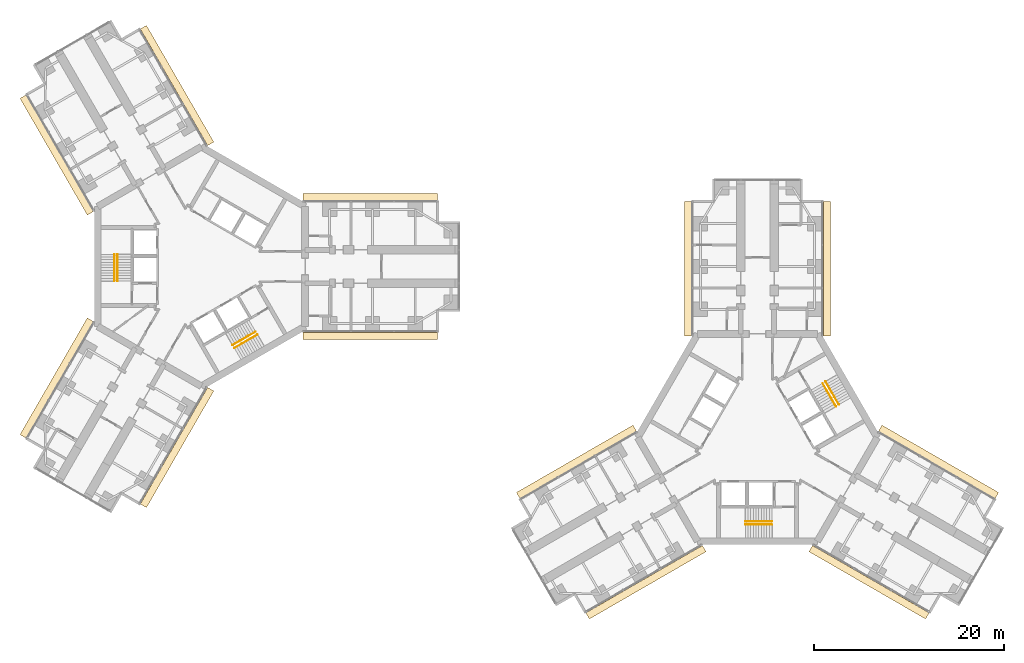
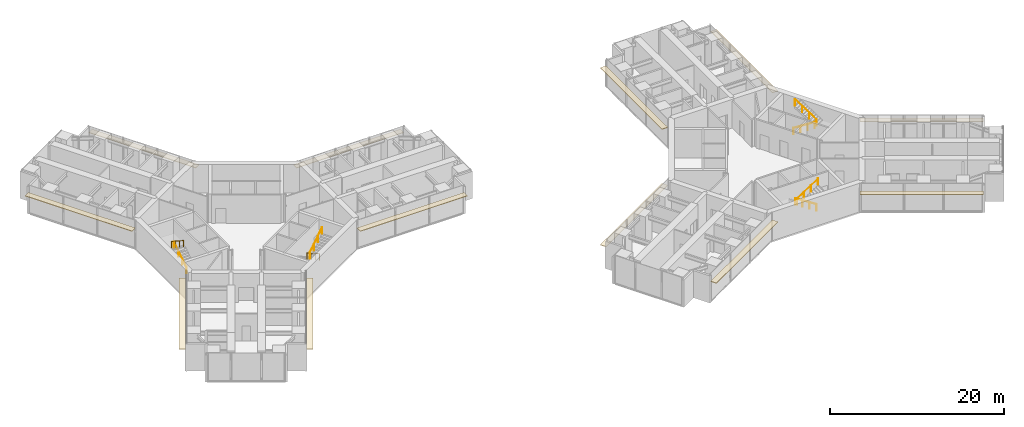
# One storey, part 23 of 23: 12 coverings, 8 railings.
"""IFC4 building model written with IfcOpenShell, lengths in metres."""

from ifc_helpers import new_model, si_unit, direction, frame, origin, origin_2d, place, context, subcontext, project, spatial, rectangle, circle, extrude, material, layer, layer_set, type_object, element, save


model = new_model("IFC4")

# Units and contexts
model_context = context("Model", 3, precision=1e-05, world=origin(), true_north=direction((0.0, 1.0)))
body_context = subcontext(model_context, "Body", "Model", "MODEL_VIEW")
ifc_project = project(units=[si_unit("LENGTHUNIT", "METRE"), si_unit("AREAUNIT", "SQUARE_METRE"), si_unit("VOLUMEUNIT", "CUBIC_METRE"), si_unit("PLANEANGLEUNIT", "RADIAN"), si_unit("MASSUNIT", "GRAM", prefix="KILO")], contexts=[model_context])

# Site, building, storey
site_placement = place(None, origin())
site = spatial("IfcSite", under=ifc_project, at=site_placement, CompositionType="ELEMENT")
building_placement = place(site_placement, origin())
building = spatial("IfcBuilding", under=site, at=building_placement, Name="Upepo Twin Towers", CompositionType="ELEMENT")
storey_placement = place(building_placement, frame((0.0, 0.0, 28.5)))
storey = spatial("IfcBuildingStorey", under=building, at=storey_placement, Name="L06", CompositionType="ELEMENT", Elevation=28.5)

# Coverings
ifc_material_1 = material(Name="Anodised aluminium, pale silver", Category="aluminium")
ifc_layer = layer(ifc_material_1, 0.080078125)
ifc_layer_set = layer_set([ifc_layer], Name="Brise-soleil blade 750 pale aluminium")
covering_type = type_object("IfcCoveringType", Name="Brise-soleil blade 750 pale aluminium", PredefinedType="USERDEFINED", material=ifc_layer_set)
for number, where, z_axis, x_axis, name in (
    (1, (17.7685546875, 7.304931640625, 2.909912109375), (0.0, 0.0, 1.0), (1.0, 0.0, 0.0), "T1 L06 wing A brise-soleil L"),
    (2, (17.7685546875, -7.304931640625, 2.909912109375), (0.0, 0.0, 1.0), (1.0, 0.0, 0.0), "T1 L06 wing A brise-soleil R"),
    (3, (-15.210693359375, 11.735595703125, 2.909912109375), (0.0, 0.0, 1.0), (-0.50000003023, 0.866025386331, 0.0), "T1 L06 wing B brise-soleil L"),
    (4, (-2.557861328125, 19.04052734375, 2.909912109375), (0.0, 0.0, 1.0), (-0.49999996977, 0.866025421238, 0.0), "T1 L06 wing B brise-soleil R"),
    (5, (-2.557861328125, -19.04052734375, 2.909912109375), (0.0, 0.0, 1.0), (-0.49999996977, -0.866025421238, 0.0), "T1 L06 wing C brise-soleil L"),
    (6, (-15.210693359375, -11.735595703125, 2.909912109375), (0.0, 0.0, 1.0), (-0.50000003023, -0.866025386331, 0.0), "T1 L06 wing C brise-soleil R"),
    (7, (51.195068359375, -0.2314453125, 2.909912109375), (0.0, 0.0, 1.0), (0.0, 1.0, 0.0), "T2 L06 wing A brise-soleil L"),
    (8, (65.804931640625, -0.2314453125, 2.909912109375), (0.0, 0.0, 1.0), (0.0, 1.0, 0.0), "T2 L06 wing A brise-soleil R"),
    (9, (46.764404296875, -33.210693359375, 2.909912109375), (0.0, 0.0, 1.0), (-0.866025386331, -0.50000003023, 0.0), "T2 L06 wing B brise-soleil L"),
    (10, (39.45947265625, -20.557861328125, 2.909912109375), (0.0, 0.0, 1.0), (-0.866025421238, -0.49999996977, 0.0), "T2 L06 wing B brise-soleil R"),
    (11, (77.54052734375, -20.557861328125, 2.909912109375), (0.0, 0.0, 1.0), (0.866025421238, -0.49999996977, 0.0), "T2 L06 wing C brise-soleil L"),
    (12, (70.235595703125, -33.210693359375, 2.909912109375), (0.0, 0.0, 1.0), (0.866025386331, -0.50000003023, 0.0), "T2 L06 wing C brise-soleil R"),
):
    element("IfcCovering", number, at=place(storey_placement, frame(where, z_axis=z_axis, x_axis=x_axis)), inside=storey, type_object=covering_type, Name=name, ObjectType="SUNSHADE", PredefinedType="USERDEFINED", context=body_context, shape_type="SweptSolid", body=[
        extrude(rectangle(XDim=14.162841796875, YDim=0.75, at=origin_2d()), origin(), (0.0, 0.0, 1.0), 0.080078125),
    ])

# Railings
ifc_material_2 = material(Name="Stainless steel", Category="steel")
railing_type = type_object("IfcRailingType", Name="Stair handrail 900", PredefinedType="HANDRAIL", material=ifc_material_2)
railing_1_placement = place(storey_placement, frame((-8.800048828125, -1.52001953125, 0.181884765625)))
element("IfcRailing", 13, at=railing_1_placement, inside=storey, type_object=railing_type, Name="T1 stair S1 L06 handrail 1", PredefinedType="HANDRAIL", context=body_context, shape_type="SweptSolid", body=[
    extrude(circle(Radius=0.02392578125, at=origin_2d()), frame((0.0, 0.0, 0.8759765625), z_axis=(0.0, 0.838705829183, 0.544584733623), x_axis=(-1.0, 0.0, 0.0)), (0.0, 0.0, 1.0), 3.338623046875),
    extrude(circle(Radius=0.02099609375, at=origin_2d()), origin(), (0.0, 0.0, 1.0), 0.851806640625),
    extrude(circle(Radius=0.02099609375, at=origin_2d()), frame((0.0, 0.933349609375, 0.60595703125)), (0.0, 0.0, 1.0), 0.851806640625),
    extrude(circle(Radius=0.02099609375, at=origin_2d()), frame((0.0, 1.86669921875, 1.212158203125)), (0.0, 0.0, 1.0), 0.851806640625),
    extrude(circle(Radius=0.02099609375, at=origin_2d()), frame((0.0, 2.800048828125, 1.818115234375)), (0.0, 0.0, 1.0), 0.851806640625),
])
railing_2_placement = place(storey_placement, frame((-9.158447265625, 1.280029296875, 2.181884765625)))
element("IfcRailing", 14, at=railing_2_placement, inside=storey, type_object=railing_type, Name="T1 stair S1 L06 handrail 2", PredefinedType="HANDRAIL", context=body_context, shape_type="SweptSolid", body=[
    extrude(circle(Radius=0.02392578125, at=origin_2d()), frame((0.0, 0.0, 0.8759765625), z_axis=(0.0, -0.838705829183, 0.544584733623), x_axis=(1.0, 0.0, 0.0)), (0.0, 0.0, 1.0), 3.338623046875),
    extrude(circle(Radius=0.02099609375, at=origin_2d()), origin(), (0.0, 0.0, 1.0), 0.851806640625),
    extrude(circle(Radius=0.02099609375, at=origin_2d()), frame((0.0, -0.933349609375, 0.60595703125)), (0.0, 0.0, 1.0), 0.851806640625),
    extrude(circle(Radius=0.02099609375, at=origin_2d()), frame((0.0, -1.86669921875, 1.212158203125)), (0.0, 0.0, 1.0), 0.851806640625),
    extrude(circle(Radius=0.02099609375, at=origin_2d()), frame((0.0, -2.800048828125, 1.818115234375)), (0.0, 0.0, 1.0), 0.851806640625),
])
railing_3_placement = place(storey_placement, frame((5.71630859375, -6.861083984375, 0.181884765625)))
element("IfcRailing", 15, at=railing_3_placement, inside=storey, type_object=railing_type, Name="T1 stair S2 L06 handrail 1", PredefinedType="HANDRAIL", context=body_context, shape_type="SweptSolid", body=[
    extrude(circle(Radius=0.02392578125, at=origin_2d()), frame((0.0, 0.0, 0.8759765625), z_axis=(-0.726336304947, -0.419332699614, 0.544605966869), x_axis=(0.49998411664, -0.866034573852, 0.0)), (0.0, 0.0, 1.0), 3.33837890625),
    extrude(circle(Radius=0.02099609375, at=origin_2d()), origin(), (0.0, 0.0, 1.0), 0.851806640625),
    extrude(circle(Radius=0.02099609375, at=origin_2d()), frame((-0.808349609375, -0.466552734375, 0.60595703125)), (0.0, 0.0, 1.0), 0.851806640625),
    extrude(circle(Radius=0.02099609375, at=origin_2d()), frame((-1.616455078125, -0.933349609375, 1.212158203125)), (0.0, 0.0, 1.0), 0.851806640625),
    extrude(circle(Radius=0.02099609375, at=origin_2d()), frame((-2.4248046875, -1.39990234375, 1.818115234375)), (0.0, 0.0, 1.0), 0.851806640625),
])
railing_4_placement = place(storey_placement, frame((3.470703125, -8.5712890625, 2.181884765625)))
element("IfcRailing", 16, at=railing_4_placement, inside=storey, type_object=railing_type, Name="T1 stair S2 L06 handrail 2", PredefinedType="HANDRAIL", context=body_context, shape_type="SweptSolid", body=[
    extrude(circle(Radius=0.02392578125, at=origin_2d()), frame((0.0, 0.0, 0.8759765625), z_axis=(0.726336304947, 0.419332699614, 0.544605966869), x_axis=(-0.49998411664, 0.866034573852, 0.0)), (0.0, 0.0, 1.0), 3.33837890625),
    extrude(circle(Radius=0.02099609375, at=origin_2d()), origin(), (0.0, 0.0, 1.0), 0.851806640625),
    extrude(circle(Radius=0.02099609375, at=origin_2d()), frame((0.808349609375, 0.466552734375, 0.60595703125)), (0.0, 0.0, 1.0), 0.851806640625),
    extrude(circle(Radius=0.02099609375, at=origin_2d()), frame((1.616455078125, 0.933349609375, 1.212158203125)), (0.0, 0.0, 1.0), 0.851806640625),
    extrude(circle(Radius=0.02099609375, at=origin_2d()), frame((2.4248046875, 1.39990234375, 1.818115234375)), (0.0, 0.0, 1.0), 0.851806640625),
])
railing_5_placement = place(storey_placement, frame((60.02001953125, -26.800048828125, 0.181884765625)))
element("IfcRailing", 17, at=railing_5_placement, inside=storey, type_object=railing_type, Name="T2 stair S1 L06 handrail 1", PredefinedType="HANDRAIL", context=body_context, shape_type="SweptSolid", body=[
    extrude(circle(Radius=0.02392578125, at=origin_2d()), frame((0.0, 0.0, 0.8759765625), z_axis=(-0.838705829183, 0.0, 0.544584733623), x_axis=(0.0, -1.0, 0.0)), (0.0, 0.0, 1.0), 3.338623046875),
    extrude(circle(Radius=0.02099609375, at=origin_2d()), origin(), (0.0, 0.0, 1.0), 0.851806640625),
    extrude(circle(Radius=0.02099609375, at=origin_2d()), frame((-0.933349609375, 0.0, 0.60595703125)), (0.0, 0.0, 1.0), 0.851806640625),
    extrude(circle(Radius=0.02099609375, at=origin_2d()), frame((-1.86669921875, 0.0, 1.212158203125)), (0.0, 0.0, 1.0), 0.851806640625),
    extrude(circle(Radius=0.02099609375, at=origin_2d()), frame((-2.800048828125, 0.0, 1.818115234375)), (0.0, 0.0, 1.0), 0.851806640625),
])
railing_6_placement = place(storey_placement, frame((57.219970703125, -27.158447265625, 2.181884765625)))
element("IfcRailing", 18, at=railing_6_placement, inside=storey, type_object=railing_type, Name="T2 stair S1 L06 handrail 2", PredefinedType="HANDRAIL", context=body_context, shape_type="SweptSolid", body=[
    extrude(circle(Radius=0.02392578125, at=origin_2d()), frame((0.0, 0.0, 0.8759765625), z_axis=(0.838705829183, 0.0, 0.544584733623), x_axis=(0.0, 1.0, 0.0)), (0.0, 0.0, 1.0), 3.338623046875),
    extrude(circle(Radius=0.02099609375, at=origin_2d()), origin(), (0.0, 0.0, 1.0), 0.851806640625),
    extrude(circle(Radius=0.02099609375, at=origin_2d()), frame((0.933349609375, 0.0, 0.60595703125)), (0.0, 0.0, 1.0), 0.851806640625),
    extrude(circle(Radius=0.02099609375, at=origin_2d()), frame((1.86669921875, 0.0, 1.212158203125)), (0.0, 0.0, 1.0), 0.851806640625),
    extrude(circle(Radius=0.02099609375, at=origin_2d()), frame((2.800048828125, 0.0, 1.818115234375)), (0.0, 0.0, 1.0), 0.851806640625),
])
railing_7_placement = place(storey_placement, frame((65.361083984375, -12.28369140625, 0.181884765625)))
element("IfcRailing", 19, at=railing_7_placement, inside=storey, type_object=railing_type, Name="T2 stair S2 L06 handrail 1", PredefinedType="HANDRAIL", context=body_context, shape_type="SweptSolid", body=[
    extrude(circle(Radius=0.02392578125, at=origin_2d()), frame((0.0, 0.0, 0.8759765625), z_axis=(0.419332699614, -0.726336304947, 0.544605966869), x_axis=(0.866034573852, 0.49998411664, 0.0)), (0.0, 0.0, 1.0), 3.33837890625),
    extrude(circle(Radius=0.02099609375, at=origin_2d()), origin(), (0.0, 0.0, 1.0), 0.851806640625),
    extrude(circle(Radius=0.02099609375, at=origin_2d()), frame((0.466552734375, -0.808349609375, 0.60595703125)), (0.0, 0.0, 1.0), 0.851806640625),
    extrude(circle(Radius=0.02099609375, at=origin_2d()), frame((0.933349609375, -1.616455078125, 1.212158203125)), (0.0, 0.0, 1.0), 0.851806640625),
    extrude(circle(Radius=0.02099609375, at=origin_2d()), frame((1.39990234375, -2.4248046875, 1.818115234375)), (0.0, 0.0, 1.0), 0.851806640625),
])
railing_8_placement = place(storey_placement, frame((67.0712890625, -14.529296875, 2.181884765625)))
element("IfcRailing", 20, at=railing_8_placement, inside=storey, type_object=railing_type, Name="T2 stair S2 L06 handrail 2", PredefinedType="HANDRAIL", context=body_context, shape_type="SweptSolid", body=[
    extrude(circle(Radius=0.02392578125, at=origin_2d()), frame((0.0, 0.0, 0.8759765625), z_axis=(-0.419332699614, 0.726336304947, 0.544605966869), x_axis=(-0.866034573852, -0.49998411664, 0.0)), (0.0, 0.0, 1.0), 3.33837890625),
    extrude(circle(Radius=0.02099609375, at=origin_2d()), origin(), (0.0, 0.0, 1.0), 0.851806640625),
    extrude(circle(Radius=0.02099609375, at=origin_2d()), frame((-0.466552734375, 0.808349609375, 0.60595703125)), (0.0, 0.0, 1.0), 0.851806640625),
    extrude(circle(Radius=0.02099609375, at=origin_2d()), frame((-0.933349609375, 1.616455078125, 1.212158203125)), (0.0, 0.0, 1.0), 0.851806640625),
    extrude(circle(Radius=0.02099609375, at=origin_2d()), frame((-1.39990234375, 2.4248046875, 1.818115234375)), (0.0, 0.0, 1.0), 0.851806640625),
])

save(model, "model.ifc")
